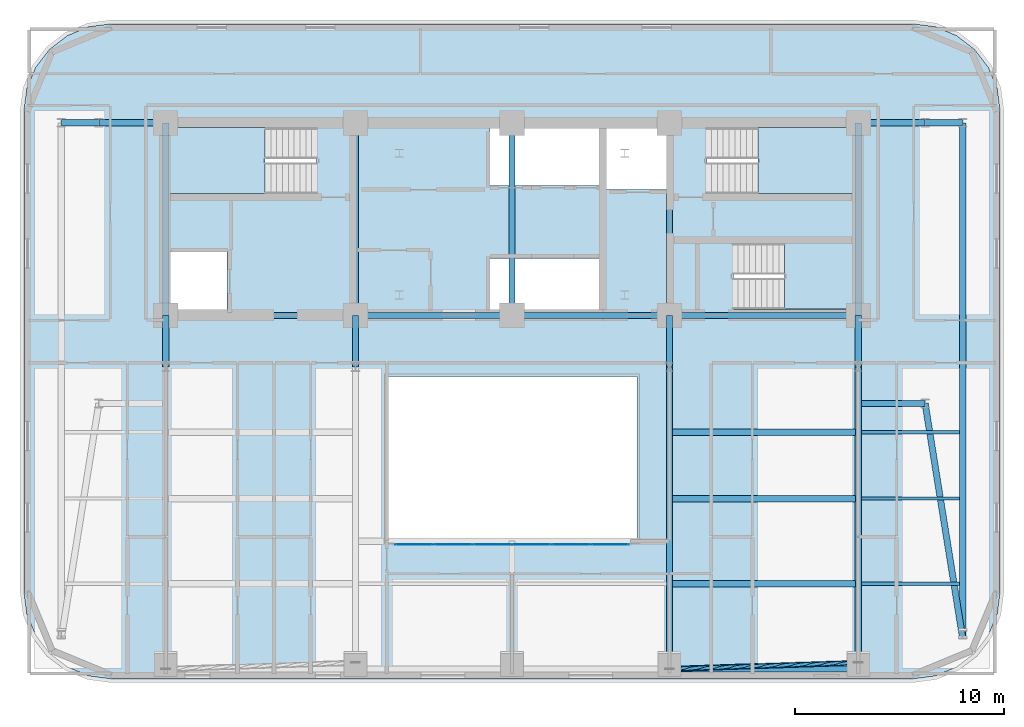
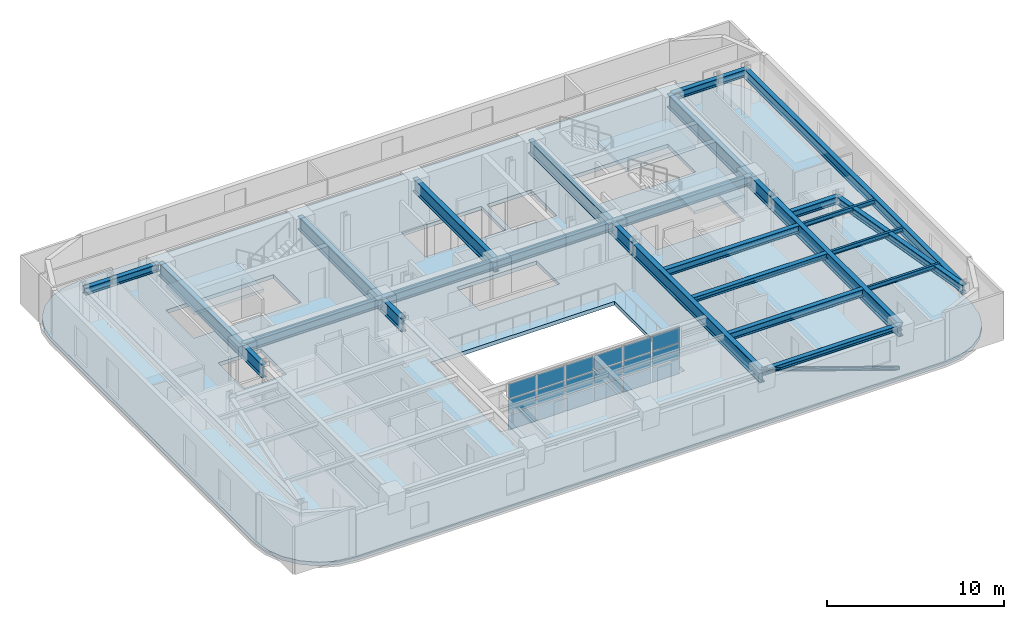
# One storey, part 3 of 12: 29 beams, 18 plates, 4 slabs, 1 member, 4 elements without a shape of their own.
"""IFC4 building model written with IfcOpenShell, lengths in metres."""

import ifcopenshell
import ifcopenshell.guid

model = None  # the IFC model being written
_history = None  # IfcOwnerHistory: only IFC2X3 demands one
_inside = {}  # id of a spatial element -> (the spatial element, [elements in it])
_under = {}  # id of a project, library or spatial element -> (it, [spatial elements below it])
_declared = {}  # id of a project -> (the project, [libraries it declares])
_typed = {}  # id of a type object -> (the type object, [elements of that type])
_made_of = {}  # id of a material, layer set ... -> (it, [elements and type objects made of it])


def new_model(schema):
    """Start an empty IFC model of exactly this schema.

    Asked for "IFC4X3", IfcOpenShell would pick the latest addendum, in which some entities
    have other attributes; the version numbers below select the first issue.
    IFC2X3 requires an IfcOwnerHistory on every rooted entity: one is made here for all.
    """
    global model, _history
    if schema == "IFC4X3":
        model = ifcopenshell.file(schema_version=(4, 3, 0, 0))
    else:
        model = ifcopenshell.file(schema=schema)
    _inside.clear()
    _under.clear()
    _declared.clear()
    _typed.clear()
    _made_of.clear()
    _history = None
    if model.schema == "IFC2X3":
        org = make("IfcOrganization", Name="unknown")
        user = make(
            "IfcPersonAndOrganization",
            ThePerson=make("IfcPerson", FamilyName="unknown"),
            TheOrganization=org,
        )
        app = make(
            "IfcApplication",
            ApplicationDeveloper=org,
            Version="unknown",
            ApplicationFullName="unknown",
            ApplicationIdentifier="unknown",
        )
        _history = make(
            "IfcOwnerHistory",
            OwningUser=user,
            OwningApplication=app,
            ChangeAction="ADDED",
            CreationDate=0,
        )
    return model


def make(cls, **values):
    """One entity of the class cls with the attributes given. An attribute that is None is left unset."""
    return model.create_entity(
        cls, **{name: value for name, value in values.items() if value is not None}
    )


def rooted(cls, **values):
    """An entity with a GlobalId (a new one), such as an element, a storey or a relation."""
    return make(cls, GlobalId=ifcopenshell.guid.new(), OwnerHistory=_history, **values)


def si_unit(unit_type, name, prefix=None):
    """IfcSIUnit, for example si_unit("LENGTHUNIT", "METRE", prefix="MILLI")."""
    return make("IfcSIUnit", UnitType=unit_type, Prefix=prefix, Name=name)


def assignment(units):
    """IfcUnitAssignment: the units of a project."""
    return None if units is None else make("IfcUnitAssignment", Units=units)


def point(xyz):
    """IfcCartesianPoint."""
    return None if xyz is None else make("IfcCartesianPoint", Coordinates=xyz)


def direction(xyz):
    """IfcDirection."""
    return None if xyz is None else make("IfcDirection", DirectionRatios=xyz)


def frame(location, z_axis=None, x_axis=None):
    """IfcAxis2Placement3D, a coordinate frame: its origin and axes. An axis left out is left unset."""
    return make(
        "IfcAxis2Placement3D",
        Location=point(location),
        Axis=direction(z_axis),
        RefDirection=direction(x_axis),
    )


def frame_2d(location, x_axis=None):
    """IfcAxis2Placement2D, a coordinate frame in the plane: its origin and x axis."""
    return make(
        "IfcAxis2Placement2D", Location=point(location), RefDirection=direction(x_axis)
    )


def origin():
    """The frame at (0, 0, 0) with its axes left unset."""
    return frame((0.0, 0.0, 0.0))


def origin_2d():
    """The frame at (0, 0) in the plane with its x axis left unset."""
    return frame_2d((0.0, 0.0))


def place(relative_to, where):
    """IfcLocalPlacement: puts the frame where relative to a parent placement (None: the world)."""
    return make(
        "IfcLocalPlacement", PlacementRelTo=relative_to, RelativePlacement=where
    )


def context(
    kind, dimensions, precision=None, world=None, true_north=None, identifier=None
):
    """IfcGeometricRepresentationContext, for example the 3D "Model" context."""
    return make(
        "IfcGeometricRepresentationContext",
        ContextIdentifier=identifier,
        ContextType=kind,
        CoordinateSpaceDimension=dimensions,
        Precision=precision,
        WorldCoordinateSystem=world,
        TrueNorth=true_north,
    )


def subcontext(parent, identifier, kind, view, scale=None):
    """IfcGeometricRepresentationSubContext, for example "Body" below "Model"."""
    return make(
        "IfcGeometricRepresentationSubContext",
        ContextIdentifier=identifier,
        ContextType=kind,
        ParentContext=parent,
        TargetScale=scale,
        TargetView=view,
    )


def project(units=None, contexts=None):
    """IfcProject with its units and contexts."""
    return rooted(
        "IfcProject",
        Name="project",
        RepresentationContexts=contexts,
        UnitsInContext=assignment(units),
    )


def spatial(cls, under=None, at=None, **own):
    """A site, building, storey or space (cls), placed at a placement, below another one or the project."""
    s = rooted(cls, ObjectPlacement=at, **own)
    if under is not None:
        _under.setdefault(under.id(), (under, []))[1].append(s)
    return s


def polyline(points):
    """IfcPolyline through the points."""
    return make("IfcPolyline", Points=[point(p) for p in points])


def profile(cls, at=None, kind="AREA", **sizes):
    """A parametric profile (cls). Its sizes go by their IFC names, for example OverallWidth=200.0."""
    return make(cls, ProfileType=kind, Position=at, **sizes)


def rectangle(**sizes):
    """IfcRectangleProfileDef."""
    return profile("IfcRectangleProfileDef", **sizes)


def hollow_circle(**sizes):
    """IfcCircleHollowProfileDef."""
    return profile("IfcCircleHollowProfileDef", **sizes)


def i_section(**sizes):
    """IfcIShapeProfileDef."""
    return profile("IfcIShapeProfileDef", **sizes)


def outline(outer, holes=None, kind="AREA"):
    """IfcArbitraryClosedProfileDef: a profile drawn as a closed curve; with holes, ...WithVoids."""
    if holes is None:
        return make("IfcArbitraryClosedProfileDef", ProfileType=kind, OuterCurve=outer)
    return make(
        "IfcArbitraryProfileDefWithVoids",
        ProfileType=kind,
        OuterCurve=outer,
        InnerCurves=holes,
    )


def extrude(swept, where, along, depth):
    """IfcExtrudedAreaSolid: the profile swept, set in the frame where, extruded along a direction by depth."""
    return make(
        "IfcExtrudedAreaSolid",
        SweptArea=swept,
        Position=where,
        ExtrudedDirection=direction(along),
        Depth=depth,
    )


def shape(context_of_items, identifier, shape_type, items):
    """IfcShapeRepresentation: the items that make up one representation, for example the "Body"."""
    return make(
        "IfcShapeRepresentation",
        ContextOfItems=context_of_items,
        RepresentationIdentifier=identifier,
        RepresentationType=shape_type,
        Items=items,
    )


def material(Name=None, Category=None):
    """IfcMaterial."""
    return make("IfcMaterial", Name=Name, Category=Category)


def layer(
    of_material, thickness, ventilated=None, Name=None, Category=None, Priority=None
):
    """IfcMaterialLayer: one layer of a wall or slab, of a material (None: an air gap)."""
    return make(
        "IfcMaterialLayer",
        Material=of_material,
        LayerThickness=thickness,
        IsVentilated=ventilated,
        Name=Name,
        Category=Category,
        Priority=Priority,
    )


def layer_set(layers, Name=None):
    """IfcMaterialLayerSet."""
    return make("IfcMaterialLayerSet", MaterialLayers=layers, LayerSetName=Name)


def material_profile(
    of_material, cross_section, Name=None, Category=None, Priority=None
):
    """IfcMaterialProfile: a cross section and its material."""
    return make(
        "IfcMaterialProfile",
        Name=Name,
        Material=of_material,
        Profile=cross_section,
        Priority=Priority,
        Category=Category,
    )


def profile_set(profiles, Name=None, composite=None):
    """IfcMaterialProfileSet."""
    return make(
        "IfcMaterialProfileSet",
        Name=Name,
        MaterialProfiles=profiles,
        CompositeProfile=composite,
    )


def made_of(thing, what):
    """Note that an element or type object is made of a material, layer set ...; save() writes the relation."""
    if what is not None:
        _made_of.setdefault(what.id(), (what, []))[1].append(thing)
    return thing


def type_object(cls, material=None, **own):
    """A type object (cls), such as IfcWallType, which elements share."""
    return made_of(rooted(cls, **own), material)


def element(
    cls,
    number,
    at=None,
    inside=None,
    cuts=None,
    type_object=None,
    material=None,
    context=None,
    identifier="Body",
    shape_type=None,
    held_by="IfcProductDefinitionShape",
    body=None,
    shapes=None,
    **own,
):
    """One element of the class cls, such as IfcWall. Its Tag is "e" and its number.

    at: its placement. inside: the storey or other place that contains it. cuts: it is an
    opening in that element (IfcRelVoidsElement). A single representation is given by context,
    identifier, shape_type and body (its items); several are given by shapes. held_by: the class
    of the entity that holds the representations. save() writes the other relations.
    """
    e = rooted(cls, Tag="e%d" % number, ObjectPlacement=at, **own)
    if body is not None:
        shapes = [shape(context, identifier, shape_type, body)]
    if shapes is not None:
        e.Representation = make(held_by, Representations=shapes)
    if inside is not None:
        _inside.setdefault(inside.id(), (inside, []))[1].append(e)
    if cuts is not None:
        rooted(
            "IfcRelVoidsElement", RelatingBuildingElement=cuts, RelatedOpeningElement=e
        )
    if type_object is not None:
        _typed.setdefault(type_object.id(), (type_object, []))[1].append(e)
    return made_of(e, material)


def aggregate(whole, parts):
    """IfcRelAggregates: a whole, such as a stair, and the parts it consists of."""
    return rooted("IfcRelAggregates", RelatingObject=whole, RelatedObjects=parts)


def save(model, path):
    """Write the relations noted so far, then the file.

    IfcRelAggregates (storeys below a building ...), IfcRelContainedInSpatialStructure (elements
    in a storey), IfcRelDefinesByType, IfcRelAssociatesMaterial and IfcRelDeclares: one each for
    every whole, place, type object, material and project.
    """
    for whole, parts in _under.values():
        aggregate(whole, parts)
    for where, things in _inside.values():
        rooted(
            "IfcRelContainedInSpatialStructure",
            RelatedElements=things,
            RelatingStructure=where,
        )
    for kind, things in _typed.values():
        rooted("IfcRelDefinesByType", RelatedObjects=things, RelatingType=kind)
    for what, things in _made_of.values():
        rooted("IfcRelAssociatesMaterial", RelatedObjects=things, RelatingMaterial=what)
    for by, libraries in _declared.values():
        rooted("IfcRelDeclares", RelatingContext=by, RelatedDefinitions=libraries)
    model.write(path)


model = new_model("IFC4")

# Units and contexts
model_context = context("Model", 3, precision=1e-05, world=origin(), true_north=direction((0.0, 1.0)))
body_context = subcontext(model_context, "Body", "Model", "MODEL_VIEW")
ifc_project = project(units=[si_unit("LENGTHUNIT", "METRE"), si_unit("AREAUNIT", "SQUARE_METRE"), si_unit("VOLUMEUNIT", "CUBIC_METRE"), si_unit("PLANEANGLEUNIT", "RADIAN"), si_unit("MASSUNIT", "GRAM", prefix="KILO")], contexts=[model_context])

# Site, building, storey
site_placement = place(None, origin())
site = spatial("IfcSite", under=ifc_project, at=site_placement, CompositionType="ELEMENT")
building_placement = place(site_placement, origin())
building = spatial("IfcBuilding", under=site, at=building_placement, Name="Zarnavel Station Tower", CompositionType="ELEMENT")
storey_placement = place(building_placement, frame((0.0, 0.0, 166.10009765625)))
storey = spatial("IfcBuildingStorey", under=building, at=storey_placement, Name="L45", CompositionType="ELEMENT", Elevation=166.10009765625)

# Member
ifc_material_1 = material(Name="Steel S355J2", Category="steel")
ifc_material_profile_1 = material_profile(ifc_material_1, hollow_circle(Radius=0.122314453125, WallThickness=0.010009765625, at=origin_2d()), Name="CHS244.5x10")
ifc_profile_set_1 = profile_set([ifc_material_profile_1], Name="Steel S355J2")
member_type = type_object("IfcMemberType", Name="DB_EXT_CHS245", PredefinedType="BRACE", material=ifc_profile_set_1)
member_placement = place(storey_placement, frame((45.39990234375, 11.176025390625, 0.0), z_axis=(-0.93937818641, -0.030942612647, 0.341483788224), x_axis=(0.032921607344, -0.999457936969, 0.0)))
element("IfcMember", 1, at=member_placement, inside=storey, type_object=member_type, Name="L45 Persian Exterior Diagonal Frame Brace 2", PredefinedType="BRACE", context=body_context, shape_type="SweptSolid", body=[
    extrude(hollow_circle(Radius=0.122314453125, WallThickness=0.010009765625, at=origin_2d()), origin(), (0.0, 0.0, 1.0), 9.6337890625),
])

# Beams
ifc_material_2 = material(Name="Steel S355J2", Category="steel")
ifc_material_profile_2 = material_profile(ifc_material_2, i_section(OverallWidth=0.300048828125, OverallDepth=0.360107421875, WebThickness=0.012451171875, FlangeThickness=0.0224609375, FilletRadius=0.027099609375, at=origin_2d()), Name="HEB360")
ifc_profile_set_2 = profile_set([ifc_material_profile_2], Name="Steel S355J2")
beam_type_1 = type_object("IfcBeamType", Name="EB_HEB360", PredefinedType="SPANDREL", material=ifc_profile_set_2)
beam_1_placement = place(storey_placement, frame((36.35009765625, 10.8779296875, 3.10986328125), z_axis=(1.0, 0.0, 0.0), x_axis=(0.0, 1.0, 0.0)))
element("IfcBeam", 2, at=beam_1_placement, inside=storey, type_object=beam_type_1, Name="L45 South Raked Spandrel 4", PredefinedType="SPANDREL", context=body_context, shape_type="SweptSolid", body=[
    extrude(i_section(OverallWidth=0.300048828125, OverallDepth=0.360107421875, WebThickness=0.012451171875, FlangeThickness=0.0224609375, FilletRadius=0.027099609375, at=origin_2d()), origin(), (0.0, 0.0, 1.0), 9.0498046875),
])
ifc_material_3 = material(Name="Steel S355J2", Category="steel")
ifc_material_profile_3 = material_profile(ifc_material_3, i_section(OverallWidth=0.300048828125, OverallDepth=0.35009765625, WebThickness=0.010009765625, FlangeThickness=0.017578125, FilletRadius=0.027099609375, at=origin_2d()), Name="HEA360")
ifc_profile_set_3 = profile_set([ifc_material_profile_3], Name="Steel S355J2")
beam_type_2 = type_object("IfcBeamType", Name="FB_HEA360", PredefinedType="BEAM", material=ifc_profile_set_3)
beam_2_placement = place(storey_placement, frame((36.4951171875, 19.038818359375, 3.114990234375), z_axis=(1.0, 0.0, 0.0), x_axis=(0.0, 1.0, 0.0)))
element("IfcBeam", 3, at=beam_2_placement, inside=storey, type_object=beam_type_2, Name="L45 East Bay Beam 2", PredefinedType="BEAM", context=body_context, shape_type="SweptSolid", body=[
    extrude(i_section(OverallWidth=0.300048828125, OverallDepth=0.35009765625, WebThickness=0.010009765625, FlangeThickness=0.017578125, FilletRadius=0.027099609375, at=origin_2d()), origin(), (0.0, 0.0, 1.0), 8.759765625),
])
ifc_material_4 = material(Name="Steel S355J2", Category="steel")
ifc_material_profile_4 = material_profile(ifc_material_4, i_section(OverallWidth=0.300048828125, OverallDepth=0.489990234375, WebThickness=0.011962890625, FlangeThickness=0.02294921875, FilletRadius=0.027099609375, at=origin_2d()), Name="HEA500")
ifc_profile_set_4 = profile_set([ifc_material_profile_4], Name="Steel S355J2")
beam_type_3 = type_object("IfcBeamType", Name="FB_HEA500", PredefinedType="BEAM", material=ifc_profile_set_4)
for number, where, z_axis, x_axis, name in (
    (4, (36.4951171875, 14.95849609375, 3.044921875), (1.0, 0.0, 0.0), (0.0, 1.0, 0.0), "L45 East Bay Beam 1"),
    (5, (36.4951171875, 22.219482421875, 3.044921875), (1.0, 0.0, 0.0), (0.0, 1.0, 0.0), "L45 East Bay Beam 3"),
):
    element("IfcBeam", number, at=place(storey_placement, frame(where, z_axis=z_axis, x_axis=x_axis)), inside=storey, type_object=beam_type_3, Name=name, PredefinedType="BEAM", context=body_context, shape_type="SweptSolid", body=[
        extrude(i_section(OverallWidth=0.300048828125, OverallDepth=0.489990234375, WebThickness=0.011962890625, FlangeThickness=0.02294921875, FilletRadius=0.027099609375, at=origin_2d()), origin(), (0.0, 0.0, 1.0), 8.759765625),
    ])
ifc_material_5 = material(Name="Steel S355J2", Category="steel")
ifc_material_profile_5 = material_profile(ifc_material_5, i_section(OverallWidth=0.300048828125, OverallDepth=0.5, WebThickness=0.014404296875, FlangeThickness=0.028076171875, FilletRadius=0.027099609375, at=origin_2d()), Name="HEB500")
ifc_profile_set_5 = profile_set([ifc_material_profile_5], Name="Steel S355J2")
beam_type_4 = type_object("IfcBeamType", Name="FG_HEB500", PredefinedType="USERDEFINED", material=ifc_profile_set_5)
beam_3_placement = place(storey_placement, frame((7.199951171875, 37.050048828125, 3.039794921875), z_axis=(1.0, 0.0, 0.0), x_axis=(0.0, 1.0, 0.0)))
element("IfcBeam", 6, at=beam_3_placement, inside=storey, type_object=beam_type_4, Name="L45 West Wing North Tie 1", ObjectType="GIRDER", PredefinedType="USERDEFINED", context=body_context, shape_type="SweptSolid", body=[
    extrude(i_section(OverallWidth=0.300048828125, OverallDepth=0.5, WebThickness=0.014404296875, FlangeThickness=0.028076171875, FilletRadius=0.027099609375, at=origin_2d()), origin(), (0.0, 0.0, 1.0), 1.800048828125),
])
beam_4_placement = place(storey_placement, frame((9.0, 37.050048828125, 3.039794921875), z_axis=(1.0, 0.0, 0.0), x_axis=(0.0, 1.0, 0.0)))
element("IfcBeam", 7, at=beam_4_placement, inside=storey, type_object=beam_type_4, Name="L45 West Wing North Tie 2", ObjectType="GIRDER", PredefinedType="USERDEFINED", context=body_context, shape_type="SweptSolid", body=[
    extrude(i_section(OverallWidth=0.300048828125, OverallDepth=0.5, WebThickness=0.014404296875, FlangeThickness=0.028076171875, FilletRadius=0.027099609375, at=origin_2d()), origin(), (0.0, 0.0, 1.0), 3.054931640625),
])
for number, where, z_axis, x_axis, name in (
    (8, (45.544921875, 23.60009765625, 3.039794921875), (1.0, 0.0, 0.0), (0.0, 1.0, 0.0), "L45 East Wing South Tie 1"),
    (9, (45.544921875, 37.050048828125, 3.039794921875), (1.0, 0.0, 0.0), (0.0, 1.0, 0.0), "L45 East Wing North Tie 1"),
):
    element("IfcBeam", number, at=place(storey_placement, frame(where, z_axis=z_axis, x_axis=x_axis)), inside=storey, type_object=beam_type_4, Name=name, ObjectType="GIRDER", PredefinedType="USERDEFINED", context=body_context, shape_type="SweptSolid", body=[
        extrude(i_section(OverallWidth=0.300048828125, OverallDepth=0.5, WebThickness=0.014404296875, FlangeThickness=0.028076171875, FilletRadius=0.027099609375, at=origin_2d()), origin(), (0.0, 0.0, 1.0), 3.05517578125),
    ])
beam_5_placement = place(storey_placement, frame((48.60009765625, 23.60009765625, 3.039794921875), z_axis=(0.15794370727, -0.987448117793, 0.0), x_axis=(0.987448117793, 0.15794370727, 0.0)))
element("IfcBeam", 10, at=beam_5_placement, inside=storey, type_object=beam_type_4, Name="L45 East Wing South Tie 2", ObjectType="GIRDER", PredefinedType="USERDEFINED", context=body_context, shape_type="SweptSolid", body=[
    extrude(i_section(OverallWidth=0.300048828125, OverallDepth=0.5, WebThickness=0.014404296875, FlangeThickness=0.028076171875, FilletRadius=0.027099609375, at=origin_2d()), origin(), (0.0, 0.0, 1.0), 11.395263671875),
])
beam_6_placement = place(storey_placement, frame((48.60009765625, 37.050048828125, 3.039794921875), z_axis=(1.0, 0.0, 0.0), x_axis=(0.0, 1.0, 0.0)))
element("IfcBeam", 11, at=beam_6_placement, inside=storey, type_object=beam_type_4, Name="L45 East Wing North Tie 2", ObjectType="GIRDER", PredefinedType="USERDEFINED", context=body_context, shape_type="SweptSolid", body=[
    extrude(i_section(OverallWidth=0.300048828125, OverallDepth=0.5, WebThickness=0.014404296875, FlangeThickness=0.028076171875, FilletRadius=0.027099609375, at=origin_2d()), origin(), (0.0, 0.0, 1.0), 1.7998046875),
])
ifc_material_6 = material(Name="Steel S355J2", Category="steel")
ifc_material_profile_6 = material_profile(ifc_material_6, i_section(OverallWidth=0.300048828125, OverallDepth=0.60009765625, WebThickness=0.015380859375, FlangeThickness=0.030029296875, FilletRadius=0.027099609375, at=origin_2d()), Name="HEB600")
ifc_profile_set_6 = profile_set([ifc_material_profile_6], Name="Steel S355J2")
beam_type_5 = type_object("IfcBeamType", Name="FG_HEB600", PredefinedType="USERDEFINED", material=ifc_profile_set_6)
beam_7_placement = place(storey_placement, frame((12.199951171875, 27.820068359375, 2.989990234375), z_axis=(1.0, 0.0, 0.0), x_axis=(0.0, 1.0, 0.0)))
element("IfcBeam", 12, at=beam_7_placement, inside=storey, type_object=beam_type_5, Name="L45 Core Front Coupling Beam 1", ObjectType="GIRDER", PredefinedType="USERDEFINED", context=body_context, shape_type="SweptSolid", body=[
    extrude(i_section(OverallWidth=0.300048828125, OverallDepth=0.60009765625, WebThickness=0.015380859375, FlangeThickness=0.030029296875, FilletRadius=0.027099609375, at=origin_2d()), origin(), (0.0, 0.0, 1.0), 9.10009765625),
])
beam_8_placement = place(storey_placement, frame((21.300048828125, 27.820068359375, 2.989990234375), z_axis=(1.0, 0.0, 0.0), x_axis=(0.0, 1.0, 0.0)))
element("IfcBeam", 13, at=beam_8_placement, inside=storey, type_object=beam_type_5, Name="L45 Core Front Coupling Beam 2", ObjectType="GIRDER", PredefinedType="USERDEFINED", context=body_context, shape_type="SweptSolid", body=[
    extrude(i_section(OverallWidth=0.300048828125, OverallDepth=0.60009765625, WebThickness=0.015380859375, FlangeThickness=0.030029296875, FilletRadius=0.027099609375, at=origin_2d()), origin(), (0.0, 0.0, 1.0), 7.5),
])
beam_9_placement = place(storey_placement, frame((28.800048828125, 27.820068359375, 2.989990234375), z_axis=(1.0, 0.0, 0.0), x_axis=(0.0, 1.0, 0.0)))
element("IfcBeam", 14, at=beam_9_placement, inside=storey, type_object=beam_type_5, Name="L45 Core Front Coupling Beam 3", ObjectType="GIRDER", PredefinedType="USERDEFINED", context=body_context, shape_type="SweptSolid", body=[
    extrude(i_section(OverallWidth=0.300048828125, OverallDepth=0.60009765625, WebThickness=0.015380859375, FlangeThickness=0.030029296875, FilletRadius=0.027099609375, at=origin_2d()), origin(), (0.0, 0.0, 1.0), 7.550048828125),
])
beam_10_placement = place(storey_placement, frame((36.35009765625, 27.820068359375, 2.989990234375), z_axis=(1.0, 0.0, 0.0), x_axis=(0.0, 1.0, 0.0)))
element("IfcBeam", 15, at=beam_10_placement, inside=storey, type_object=beam_type_5, Name="L45 Core Front Coupling Beam 4", ObjectType="GIRDER", PredefinedType="USERDEFINED", context=body_context, shape_type="SweptSolid", body=[
    extrude(i_section(OverallWidth=0.300048828125, OverallDepth=0.60009765625, WebThickness=0.015380859375, FlangeThickness=0.030029296875, FilletRadius=0.027099609375, at=origin_2d()), origin(), (0.0, 0.0, 1.0), 9.0498046875),
])
ifc_material_7 = material(Name="Steel S355J2", Category="steel")
ifc_material_profile_7 = material_profile(ifc_material_7, i_section(OverallWidth=0.300048828125, OverallDepth=0.64990234375, WebThickness=0.01611328125, FlangeThickness=0.031005859375, FilletRadius=0.027099609375, at=origin_2d()), Name="HEB650")
ifc_profile_set_7 = profile_set([ifc_material_profile_7], Name="Steel S355J2")
beam_type_6 = type_object("IfcBeamType", Name="FG_HEB650", PredefinedType="USERDEFINED", material=ifc_profile_set_7)
beam_11_placement = place(storey_placement, frame((50.39990234375, 12.347900390625, 2.96484375), z_axis=(0.0, 1.0, 0.0), x_axis=(-1.0, 0.0, 0.0)))
element("IfcBeam", 16, at=beam_11_placement, inside=storey, type_object=beam_type_6, Name="L45 Wing NS Girder 2", ObjectType="GIRDER", PredefinedType="USERDEFINED", context=body_context, shape_type="SweptSolid", body=[
    extrude(i_section(OverallWidth=0.300048828125, OverallDepth=0.64990234375, WebThickness=0.01611328125, FlangeThickness=0.031005859375, FilletRadius=0.027099609375, at=origin_2d()), origin(), (0.0, 0.0, 1.0), 24.7021484375),
])
ifc_material_8 = material(Name="Steel S355J2", Category="steel")
ifc_material_profile_8 = material_profile(ifc_material_8, i_section(OverallWidth=0.14990234375, OverallDepth=0.300048828125, WebThickness=0.007080078125, FlangeThickness=0.0107421875, FilletRadius=0.014892578125, at=origin_2d()), Name="IPE300")
ifc_profile_set_8 = profile_set([ifc_material_profile_8], Name="Steel S355J2")
beam_type_7 = type_object("IfcBeamType", Name="FJ_IPE300", PredefinedType="JOIST", material=ifc_profile_set_8)
for number, where, z_axis, x_axis, name in (
    (17, (45.544921875, 14.95849609375, 3.139892578125), (1.0, 0.0, 0.0), (0.0, 1.0, 0.0), "L45 East Wing Joist 1"),
    (18, (45.544921875, 19.038818359375, 3.139892578125), (1.0, 0.0, 0.0), (0.0, 1.0, 0.0), "L45 East Wing Joist 2"),
    (19, (45.544921875, 22.219482421875, 3.139892578125), (1.0, 0.0, 0.0), (0.0, 1.0, 0.0), "L45 East Wing Joist 3"),
):
    element("IfcBeam", number, at=place(storey_placement, frame(where, z_axis=z_axis, x_axis=x_axis)), inside=storey, type_object=beam_type_7, Name=name, PredefinedType="JOIST", context=body_context, shape_type="SweptSolid", body=[
        extrude(i_section(OverallWidth=0.14990234375, OverallDepth=0.300048828125, WebThickness=0.007080078125, FlangeThickness=0.0107421875, FilletRadius=0.014892578125, at=origin_2d()), origin(), (0.0, 0.0, 1.0), 4.7099609375),
    ])
ifc_material_9 = material(Name="Steel S460M", Category="steel")
ifc_material_profile_9 = material_profile(ifc_material_9, i_section(OverallWidth=0.302001953125, OverallDepth=0.909912109375, WebThickness=0.02099609375, FlangeThickness=0.0400390625, FilletRadius=0.030029296875, at=origin_2d()), Name="HEM900")
ifc_profile_set_9 = profile_set([ifc_material_profile_9], Name="Steel S460M")
beam_type_8 = type_object("IfcBeamType", Name="TG_HEM900", PredefinedType="USERDEFINED", material=ifc_profile_set_9)
for number, where, z_axis, x_axis, name in (
    (20, (12.199951171875, 27.820068359375, 2.8349609375), (0.0, 1.0, 0.0), (-1.0, 0.0, 0.0), "L45 Core Spine Coupling Girder 1"),
    (21, (21.300048828125, 27.820068359375, 2.8349609375), (0.0, 1.0, 0.0), (-1.0, 0.0, 0.0), "L45 Core Spine Coupling Girder 2"),
    (22, (28.800048828125, 27.820068359375, 2.8349609375), (0.0, 1.0, 0.0), (-1.0, 0.0, 0.0), "L45 Core Spine Coupling Girder 3"),
    (23, (36.35009765625, 27.820068359375, 2.8349609375), (0.0, 1.0, 0.0), (-1.0, 0.0, 0.0), "L45 Core Spine Coupling Girder 4"),
    (24, (45.39990234375, 27.820068359375, 2.8349609375), (0.0, 1.0, 0.0), (-1.0, 0.0, 0.0), "L45 Core Spine Coupling Girder 5"),
):
    element("IfcBeam", number, at=place(storey_placement, frame(where, z_axis=z_axis, x_axis=x_axis)), inside=storey, type_object=beam_type_8, Name=name, ObjectType="GIRDER", PredefinedType="USERDEFINED", context=body_context, shape_type="SweptSolid", body=[
        extrude(i_section(OverallWidth=0.302001953125, OverallDepth=0.909912109375, WebThickness=0.02099609375, FlangeThickness=0.0400390625, FilletRadius=0.030029296875, at=origin_2d()), origin(), (0.0, 0.0, 1.0), 9.22998046875),
    ])
for number, where, z_axis, x_axis, name in (
    (25, (12.199951171875, 25.35009765625, 2.8349609375), (0.0, 1.0, 0.0), (-1.0, 0.0, 0.0), "L45 Inner-Zone NS Girder 1"),
    (26, (21.300048828125, 25.35009765625, 2.8349609375), (0.0, 1.0, 0.0), (-1.0, 0.0, 0.0), "L45 Inner-Zone NS Girder 2"),
):
    element("IfcBeam", number, at=place(storey_placement, frame(where, z_axis=z_axis, x_axis=x_axis)), inside=storey, type_object=beam_type_8, Name=name, ObjectType="GIRDER", PredefinedType="USERDEFINED", context=body_context, shape_type="SweptSolid", body=[
        extrude(i_section(OverallWidth=0.302001953125, OverallDepth=0.909912109375, WebThickness=0.02099609375, FlangeThickness=0.0400390625, FilletRadius=0.030029296875, at=origin_2d()), origin(), (0.0, 0.0, 1.0), 2.469970703125),
    ])
beam_12_placement = place(storey_placement, frame((36.35009765625, 10.8779296875, 2.8349609375), z_axis=(0.0, 1.0, 0.0), x_axis=(-1.0, 0.0, 0.0)))
element("IfcBeam", 27, at=beam_12_placement, inside=storey, type_object=beam_type_8, Name="L45 South-Zone NS Girder 4", ObjectType="GIRDER", PredefinedType="USERDEFINED", context=body_context, shape_type="SweptSolid", body=[
    extrude(i_section(OverallWidth=0.302001953125, OverallDepth=0.909912109375, WebThickness=0.02099609375, FlangeThickness=0.0400390625, FilletRadius=0.030029296875, at=origin_2d()), origin(), (0.0, 0.0, 1.0), 14.47216796875),
])
beam_13_placement = place(storey_placement, frame((36.35009765625, 25.35009765625, 2.8349609375), z_axis=(0.0, 1.0, 0.0), x_axis=(-1.0, 0.0, 0.0)))
element("IfcBeam", 28, at=beam_13_placement, inside=storey, type_object=beam_type_8, Name="L45 Inner-Zone NS Girder 4", ObjectType="GIRDER", PredefinedType="USERDEFINED", context=body_context, shape_type="SweptSolid", body=[
    extrude(i_section(OverallWidth=0.302001953125, OverallDepth=0.909912109375, WebThickness=0.02099609375, FlangeThickness=0.0400390625, FilletRadius=0.030029296875, at=origin_2d()), origin(), (0.0, 0.0, 1.0), 2.469970703125),
])
beam_14_placement = place(storey_placement, frame((45.39990234375, 10.8779296875, 2.8349609375), z_axis=(0.0, 1.0, 0.0), x_axis=(-1.0, 0.0, 0.0)))
element("IfcBeam", 29, at=beam_14_placement, inside=storey, type_object=beam_type_8, Name="L45 South-Zone NS Girder 5", ObjectType="GIRDER", PredefinedType="USERDEFINED", context=body_context, shape_type="SweptSolid", body=[
    extrude(i_section(OverallWidth=0.302001953125, OverallDepth=0.909912109375, WebThickness=0.02099609375, FlangeThickness=0.0400390625, FilletRadius=0.030029296875, at=origin_2d()), origin(), (0.0, 0.0, 1.0), 14.47216796875),
])
beam_15_placement = place(storey_placement, frame((45.39990234375, 25.35009765625, 2.8349609375), z_axis=(0.0, 1.0, 0.0), x_axis=(-1.0, 0.0, 0.0)))
element("IfcBeam", 30, at=beam_15_placement, inside=storey, type_object=beam_type_8, Name="L45 Inner-Zone NS Girder 5", ObjectType="GIRDER", PredefinedType="USERDEFINED", context=body_context, shape_type="SweptSolid", body=[
    extrude(i_section(OverallWidth=0.302001953125, OverallDepth=0.909912109375, WebThickness=0.02099609375, FlangeThickness=0.0400390625, FilletRadius=0.030029296875, at=origin_2d()), origin(), (0.0, 0.0, 1.0), 2.469970703125),
])

# Curtain wall, plates
ifc_material_10 = material(Name="Aluminium Dark Anodised and Solar-Control Glass", Category="aluminium")
ifc_layer_1 = layer(ifc_material_10, 0.179931640625)
ifc_layer_set_1 = layer_set([ifc_layer_1], Name="CWS4")
curtain_wall_type = type_object("IfcCurtainWallType", Name="CWS4", PredefinedType="NOTDEFINED", material=ifc_layer_set_1)
curtain_wall_placement = place(storey_placement, origin())
curtain_wall = element("IfcCurtainWall", 31, at=curtain_wall_placement, inside=storey, type_object=curtain_wall_type, Name="L45 Curtain Wall CWS4-L45-AS", PredefinedType="NOTDEFINED")
ifc_material_11 = material(Name="Double Low-E Dark Solar-Control Glass", Category="glass")
ifc_layer_2 = layer(ifc_material_11, 0.031982421875)
ifc_layer_set_2 = layer_set([ifc_layer_2], Name="CWS4_PNL")
plate_type = type_object("IfcPlateType", Name="CWS4_PNL", PredefinedType="CURTAIN_PANEL", material=ifc_layer_set_2)
plate_1_placement = place(storey_placement, frame((24.106689453125, 16.85009765625, 0.06005859375), z_axis=(0.0, 0.0, 1.0), x_axis=(1.0, 0.0, 0.0)))
plate_1 = element("IfcPlate", 32, at=plate_1_placement, type_object=plate_type, Name="CW4 panel 1.1", PredefinedType="CURTAIN_PANEL", context=body_context, shape_type="SweptSolid", body=[
    extrude(rectangle(XDim=1.793212890625, YDim=0.028076171875, at=origin_2d()), origin(), (0.0, 0.0, 1.0), 1.006591796875),
])
plate_2_placement = place(storey_placement, frame((24.106689453125, 16.85009765625, 1.126708984375), z_axis=(0.0, 0.0, 1.0), x_axis=(1.0, 0.0, 0.0)))
plate_2 = element("IfcPlate", 33, at=plate_2_placement, type_object=plate_type, Name="CW4 panel 1.2", PredefinedType="CURTAIN_PANEL", context=body_context, shape_type="SweptSolid", body=[
    extrude(rectangle(XDim=1.793212890625, YDim=0.028076171875, at=origin_2d()), origin(), (0.0, 0.0, 1.0), 1.03662109375),
])
plate_3_placement = place(storey_placement, frame((24.106689453125, 16.85009765625, 2.22314453125), z_axis=(0.0, 0.0, 1.0), x_axis=(1.0, 0.0, 0.0)))
plate_3 = element("IfcPlate", 34, at=plate_3_placement, type_object=plate_type, Name="CW4 panel 1.3", PredefinedType="CURTAIN_PANEL", context=body_context, shape_type="SweptSolid", body=[
    extrude(rectangle(XDim=1.793212890625, YDim=0.028076171875, at=origin_2d()), origin(), (0.0, 0.0, 1.0), 1.006591796875),
])
plate_4_placement = place(storey_placement, frame((25.97509765625, 16.85009765625, 0.06005859375), z_axis=(0.0, 0.0, 1.0), x_axis=(1.0, 0.0, 0.0)))
plate_4 = element("IfcPlate", 35, at=plate_4_placement, type_object=plate_type, Name="CW4 panel 2.1", PredefinedType="CURTAIN_PANEL", context=body_context, shape_type="SweptSolid", body=[
    extrude(rectangle(XDim=1.8232421875, YDim=0.028076171875, at=origin_2d()), origin(), (0.0, 0.0, 1.0), 1.006591796875),
])
plate_5_placement = place(storey_placement, frame((25.97509765625, 16.85009765625, 1.126708984375), z_axis=(0.0, 0.0, 1.0), x_axis=(1.0, 0.0, 0.0)))
plate_5 = element("IfcPlate", 36, at=plate_5_placement, type_object=plate_type, Name="CW4 panel 2.2", PredefinedType="CURTAIN_PANEL", context=body_context, shape_type="SweptSolid", body=[
    extrude(rectangle(XDim=1.8232421875, YDim=0.028076171875, at=origin_2d()), origin(), (0.0, 0.0, 1.0), 1.03662109375),
])
plate_6_placement = place(storey_placement, frame((25.97509765625, 16.85009765625, 2.22314453125), z_axis=(0.0, 0.0, 1.0), x_axis=(1.0, 0.0, 0.0)))
plate_6 = element("IfcPlate", 37, at=plate_6_placement, type_object=plate_type, Name="CW4 panel 2.3", PredefinedType="CURTAIN_PANEL", context=body_context, shape_type="SweptSolid", body=[
    extrude(rectangle(XDim=1.8232421875, YDim=0.028076171875, at=origin_2d()), origin(), (0.0, 0.0, 1.0), 1.006591796875),
])
plate_7_placement = place(storey_placement, frame((27.8583984375, 16.85009765625, 0.06005859375), z_axis=(0.0, 0.0, 1.0), x_axis=(1.0, 0.0, 0.0)))
plate_7 = element("IfcPlate", 38, at=plate_7_placement, type_object=plate_type, Name="CW4 panel 3.1", PredefinedType="CURTAIN_PANEL", context=body_context, shape_type="SweptSolid", body=[
    extrude(rectangle(XDim=1.8232421875, YDim=0.028076171875, at=origin_2d()), origin(), (0.0, 0.0, 1.0), 1.006591796875),
])
plate_8_placement = place(storey_placement, frame((27.8583984375, 16.85009765625, 1.126708984375), z_axis=(0.0, 0.0, 1.0), x_axis=(1.0, 0.0, 0.0)))
plate_8 = element("IfcPlate", 39, at=plate_8_placement, type_object=plate_type, Name="CW4 panel 3.2", PredefinedType="CURTAIN_PANEL", context=body_context, shape_type="SweptSolid", body=[
    extrude(rectangle(XDim=1.8232421875, YDim=0.028076171875, at=origin_2d()), origin(), (0.0, 0.0, 1.0), 1.03662109375),
])
plate_9_placement = place(storey_placement, frame((27.8583984375, 16.85009765625, 2.22314453125), z_axis=(0.0, 0.0, 1.0), x_axis=(1.0, 0.0, 0.0)))
plate_9 = element("IfcPlate", 40, at=plate_9_placement, type_object=plate_type, Name="CW4 panel 3.3", PredefinedType="CURTAIN_PANEL", context=body_context, shape_type="SweptSolid", body=[
    extrude(rectangle(XDim=1.8232421875, YDim=0.028076171875, at=origin_2d()), origin(), (0.0, 0.0, 1.0), 1.006591796875),
])
plate_10_placement = place(storey_placement, frame((29.74169921875, 16.85009765625, 0.06005859375), z_axis=(0.0, 0.0, 1.0), x_axis=(1.0, 0.0, 0.0)))
plate_10 = element("IfcPlate", 41, at=plate_10_placement, type_object=plate_type, Name="CW4 panel 4.1", PredefinedType="CURTAIN_PANEL", context=body_context, shape_type="SweptSolid", body=[
    extrude(rectangle(XDim=1.8232421875, YDim=0.028076171875, at=origin_2d()), origin(), (0.0, 0.0, 1.0), 1.006591796875),
])
plate_11_placement = place(storey_placement, frame((29.74169921875, 16.85009765625, 1.126708984375), z_axis=(0.0, 0.0, 1.0), x_axis=(1.0, 0.0, 0.0)))
plate_11 = element("IfcPlate", 42, at=plate_11_placement, type_object=plate_type, Name="CW4 panel 4.2", PredefinedType="CURTAIN_PANEL", context=body_context, shape_type="SweptSolid", body=[
    extrude(rectangle(XDim=1.8232421875, YDim=0.028076171875, at=origin_2d()), origin(), (0.0, 0.0, 1.0), 1.03662109375),
])
plate_12_placement = place(storey_placement, frame((29.74169921875, 16.85009765625, 2.22314453125), z_axis=(0.0, 0.0, 1.0), x_axis=(1.0, 0.0, 0.0)))
plate_12 = element("IfcPlate", 43, at=plate_12_placement, type_object=plate_type, Name="CW4 panel 4.3", PredefinedType="CURTAIN_PANEL", context=body_context, shape_type="SweptSolid", body=[
    extrude(rectangle(XDim=1.8232421875, YDim=0.028076171875, at=origin_2d()), origin(), (0.0, 0.0, 1.0), 1.006591796875),
])
plate_13_placement = place(storey_placement, frame((31.625, 16.85009765625, 0.06005859375), z_axis=(0.0, 0.0, 1.0), x_axis=(1.0, 0.0, 0.0)))
plate_13 = element("IfcPlate", 44, at=plate_13_placement, type_object=plate_type, Name="CW4 panel 5.1", PredefinedType="CURTAIN_PANEL", context=body_context, shape_type="SweptSolid", body=[
    extrude(rectangle(XDim=1.8232421875, YDim=0.028076171875, at=origin_2d()), origin(), (0.0, 0.0, 1.0), 1.006591796875),
])
plate_14_placement = place(storey_placement, frame((31.625, 16.85009765625, 1.126708984375), z_axis=(0.0, 0.0, 1.0), x_axis=(1.0, 0.0, 0.0)))
plate_14 = element("IfcPlate", 45, at=plate_14_placement, type_object=plate_type, Name="CW4 panel 5.2", PredefinedType="CURTAIN_PANEL", context=body_context, shape_type="SweptSolid", body=[
    extrude(rectangle(XDim=1.8232421875, YDim=0.028076171875, at=origin_2d()), origin(), (0.0, 0.0, 1.0), 1.03662109375),
])
plate_15_placement = place(storey_placement, frame((31.625, 16.85009765625, 2.22314453125), z_axis=(0.0, 0.0, 1.0), x_axis=(1.0, 0.0, 0.0)))
plate_15 = element("IfcPlate", 46, at=plate_15_placement, type_object=plate_type, Name="CW4 panel 5.3", PredefinedType="CURTAIN_PANEL", context=body_context, shape_type="SweptSolid", body=[
    extrude(rectangle(XDim=1.8232421875, YDim=0.028076171875, at=origin_2d()), origin(), (0.0, 0.0, 1.0), 1.006591796875),
])
plate_16_placement = place(storey_placement, frame((33.493408203125, 16.85009765625, 0.06005859375), z_axis=(0.0, 0.0, 1.0), x_axis=(1.0, 0.0, 0.0)))
plate_16 = element("IfcPlate", 47, at=plate_16_placement, type_object=plate_type, Name="CW4 panel 6.1", PredefinedType="CURTAIN_PANEL", context=body_context, shape_type="SweptSolid", body=[
    extrude(rectangle(XDim=1.793212890625, YDim=0.028076171875, at=origin_2d()), origin(), (0.0, 0.0, 1.0), 1.006591796875),
])
plate_17_placement = place(storey_placement, frame((33.493408203125, 16.85009765625, 1.126708984375), z_axis=(0.0, 0.0, 1.0), x_axis=(1.0, 0.0, 0.0)))
plate_17 = element("IfcPlate", 48, at=plate_17_placement, type_object=plate_type, Name="CW4 panel 6.2", PredefinedType="CURTAIN_PANEL", context=body_context, shape_type="SweptSolid", body=[
    extrude(rectangle(XDim=1.793212890625, YDim=0.028076171875, at=origin_2d()), origin(), (0.0, 0.0, 1.0), 1.03662109375),
])
plate_18_placement = place(storey_placement, frame((33.493408203125, 16.85009765625, 2.22314453125), z_axis=(0.0, 0.0, 1.0), x_axis=(1.0, 0.0, 0.0)))
plate_18 = element("IfcPlate", 49, at=plate_18_placement, type_object=plate_type, Name="CW4 panel 6.3", PredefinedType="CURTAIN_PANEL", context=body_context, shape_type="SweptSolid", body=[
    extrude(rectangle(XDim=1.793212890625, YDim=0.028076171875, at=origin_2d()), origin(), (0.0, 0.0, 1.0), 1.006591796875),
])
aggregate(curtain_wall, [plate_1, plate_2, plate_3, plate_4, plate_5, plate_6, plate_7, plate_8, plate_9, plate_10, plate_11, plate_12, plate_13, plate_14, plate_15, plate_16, plate_17, plate_18])

# Slab
ifc_material_12 = material(Name="Concrete C45/55", Category="concrete")
ifc_layer_3 = layer(ifc_material_12, 0.260009765625)
ifc_layer_set_3 = layer_set([ifc_layer_3], Name="SL_FLR_260")
slab_type_1 = type_object("IfcSlabType", Name="SL_FLR_260", PredefinedType="FLOOR", material=ifc_layer_set_3)
slab_1_placement = place(storey_placement, frame((0.0, 0.0, -0.260009765625)))
element("IfcSlab", 50, at=slab_1_placement, inside=storey, type_object=slab_type_1, Name="L45 Structural Floor Slab", PredefinedType="FLOOR", context=body_context, shape_type="SweptSolid", body=[
    extrude(outline(polyline([(48.0, 10.39990234375), (49.0869140625, 10.543212890625), (50.10009765625, 10.962646484375), (50.9697265625, 11.630126953125), (51.63720703125, 12.5), (52.056884765625, 13.512939453125), (52.199951171875, 14.60009765625), (52.199951171875, 37.60009765625), (52.056884765625, 38.68701171875), (51.63720703125, 39.699951171875), (50.9697265625, 40.56982421875), (50.10009765625, 41.2373046875), (49.0869140625, 41.656982421875), (48.0, 41.800048828125), (9.60009765625, 41.800048828125), (8.512939453125, 41.656982421875), (7.5, 41.2373046875), (6.630126953125, 40.56982421875), (5.962646484375, 39.699951171875), (5.543212890625, 38.68701171875), (5.39990234375, 37.60009765625), (5.39990234375, 14.60009765625), (5.543212890625, 13.512939453125), (5.962646484375, 12.5), (6.630126953125, 11.630126953125), (7.5, 10.962646484375), (8.512939453125, 10.543212890625), (9.60009765625, 10.39990234375), (48.0, 10.39990234375)]), holes=[polyline([(12.39990234375, 33.659912109375), (19.409912109375, 33.659912109375), (19.409912109375, 36.820068359375), (12.39990234375, 36.820068359375), (12.39990234375, 33.659912109375)]), polyline([(38.14990234375, 33.659912109375), (45.159912109375, 33.659912109375), (45.159912109375, 36.820068359375), (38.14990234375, 36.820068359375), (38.14990234375, 33.659912109375)]), polyline([(39.419921875, 28.1201171875), (45.14990234375, 28.1201171875), (45.14990234375, 31.280029296875), (39.419921875, 31.280029296875), (39.419921875, 28.1201171875)]), polyline([(12.35009765625, 27.949951171875), (15.14990234375, 27.949951171875), (15.14990234375, 30.85009765625), (12.35009765625, 30.85009765625), (12.35009765625, 27.949951171875)]), polyline([(33.320068359375, 33.85009765625), (36.2099609375, 33.85009765625), (36.2099609375, 36.780029296875), (33.320068359375, 36.780029296875), (33.320068359375, 33.85009765625)]), polyline([(27.75, 34.050048828125), (32.97998046875, 34.050048828125), (32.97998046875, 36.780029296875), (27.75, 36.780029296875), (27.75, 34.050048828125)]), polyline([(27.75, 27.949951171875), (32.97998046875, 27.949951171875), (32.97998046875, 30.550048828125), (27.75, 30.550048828125), (27.75, 27.949951171875)]), polyline([(22.800048828125, 17.0), (34.800048828125, 17.0), (34.800048828125, 24.89990234375), (22.800048828125, 24.89990234375), (22.800048828125, 17.0)])]), origin(), (0.0, 0.0, 1.0), 0.260009765625),
])

# Stair, slab
ifc_material_13 = material(Name="Concrete C45/55", Category="concrete")
stair_type = type_object("IfcStairType", Name="ST_CORE_150", PredefinedType="HALF_TURN_STAIR", material=ifc_material_13)
stair_1_placement = place(storey_placement, origin())
stair_1 = element("IfcStair", 51, at=stair_1_placement, inside=storey, type_object=stair_type, Name="L45 Core Exit Stair ST1", PredefinedType="HALF_TURN_STAIR")
ifc_material_14 = material(Name="Concrete C45/55", Category="concrete")
ifc_layer_4 = layer(ifc_material_14, 0.199951171875)
ifc_layer_set_4 = layer_set([ifc_layer_4], Name="SL_STAIR_LAND_200")
slab_type_2 = type_object("IfcSlabType", Name="SL_STAIR_LAND_200", PredefinedType="LANDING", material=ifc_layer_set_4)
slab_2_placement = place(storey_placement, frame((0.0, 0.0, 1.574951171875)))
slab_2 = element("IfcSlab", 52, at=slab_2_placement, type_object=slab_type_2, Name="ST1 landing 1", PredefinedType="LANDING", context=body_context, shape_type="SweptSolid", body=[
    extrude(outline(polyline([(16.9599609375, 36.820068359375), (12.39990234375, 36.820068359375), (12.39990234375, 33.659912109375), (16.9599609375, 33.659912109375), (16.9599609375, 36.820068359375)])), origin(), (0.0, 0.0, 1.0), 0.199951171875),
])
aggregate(stair_1, [slab_2])

stair_2_placement = place(storey_placement, origin())
stair_2 = element("IfcStair", 53, at=stair_2_placement, inside=storey, type_object=stair_type, Name="L45 Core Exit Stair ST2", PredefinedType="HALF_TURN_STAIR")
slab_3_placement = place(storey_placement, frame((0.0, 0.0, 1.574951171875)))
slab_3 = element("IfcSlab", 54, at=slab_3_placement, type_object=slab_type_2, Name="ST2 landing 1", PredefinedType="LANDING", context=body_context, shape_type="SweptSolid", body=[
    extrude(outline(polyline([(40.60009765625, 33.659912109375), (45.159912109375, 33.659912109375), (45.159912109375, 36.820068359375), (40.60009765625, 36.820068359375), (40.60009765625, 33.659912109375)])), origin(), (0.0, 0.0, 1.0), 0.199951171875),
])
aggregate(stair_2, [slab_3])

stair_3_placement = place(storey_placement, origin())
stair_3 = element("IfcStair", 55, at=stair_3_placement, inside=storey, type_object=stair_type, Name="L45 Core Exit Stair ST3", PredefinedType="HALF_TURN_STAIR")
slab_4_placement = place(storey_placement, frame((0.0, 0.0, 1.574951171875)))
slab_4 = element("IfcSlab", 56, at=slab_4_placement, type_object=slab_type_2, Name="ST3 landing 1", PredefinedType="LANDING", context=body_context, shape_type="SweptSolid", body=[
    extrude(outline(polyline([(41.8701171875, 28.1201171875), (45.14990234375, 28.1201171875), (45.14990234375, 31.280029296875), (41.8701171875, 31.280029296875), (41.8701171875, 28.1201171875)])), origin(), (0.0, 0.0, 1.0), 0.199951171875),
])
aggregate(stair_3, [slab_4])

save(model, "model.ifc")
